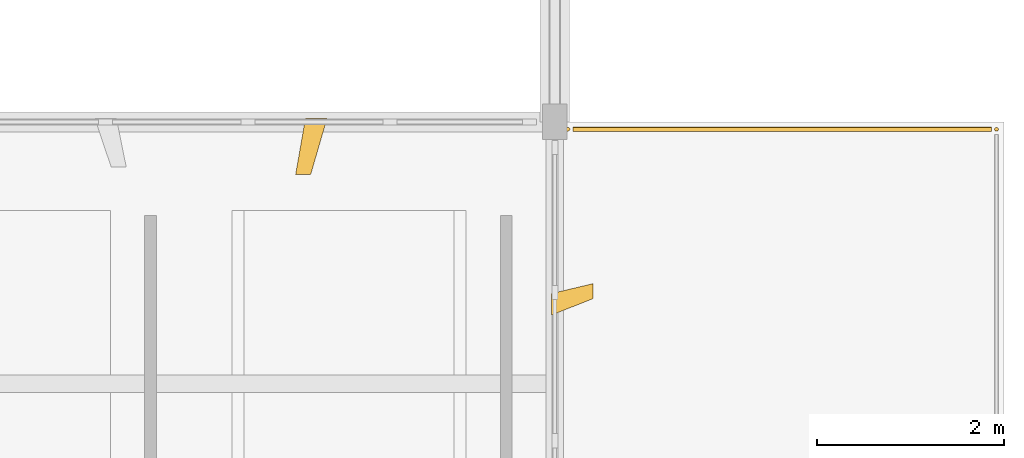
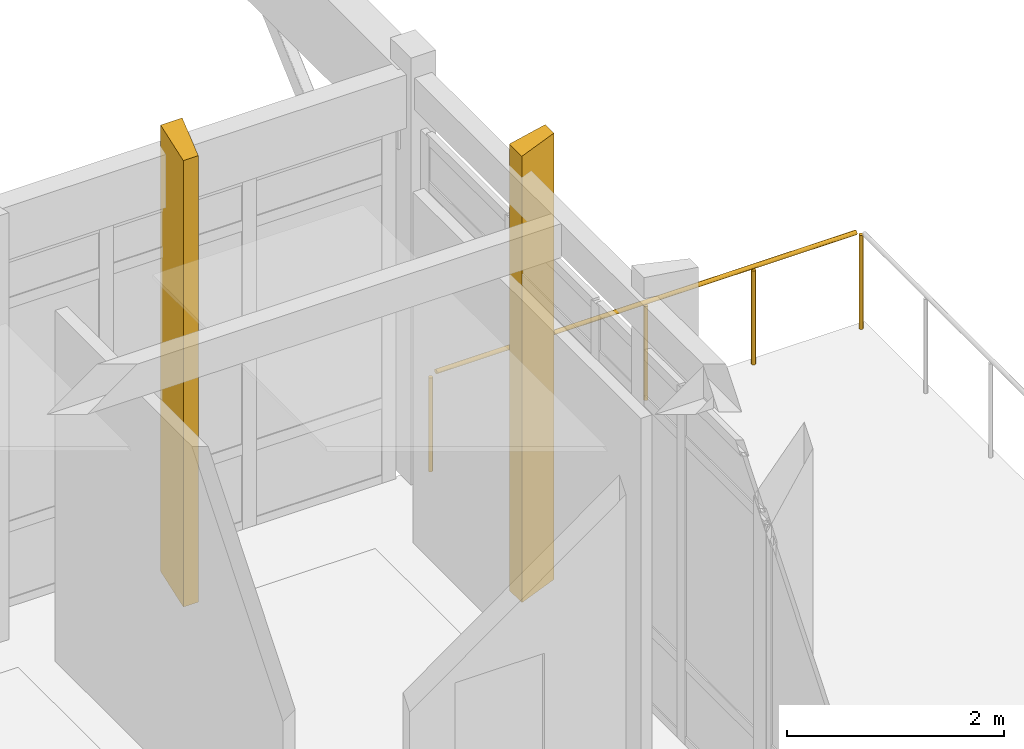
# One storey, part 19 of 19: 2 coverings, 1 railing.
"""IFC4 building model written with IfcOpenShell, lengths in metres."""

import ifcopenshell
import ifcopenshell.guid

model = None  # the IFC model being written
_history = None  # IfcOwnerHistory: only IFC2X3 demands one
_inside = {}  # id of a spatial element -> (the spatial element, [elements in it])
_under = {}  # id of a project, library or spatial element -> (it, [spatial elements below it])
_declared = {}  # id of a project -> (the project, [libraries it declares])
_typed = {}  # id of a type object -> (the type object, [elements of that type])
_made_of = {}  # id of a material, layer set ... -> (it, [elements and type objects made of it])


def new_model(schema):
    """Start an empty IFC model of exactly this schema.

    Asked for "IFC4X3", IfcOpenShell would pick the latest addendum, in which some entities
    have other attributes; the version numbers below select the first issue.
    IFC2X3 requires an IfcOwnerHistory on every rooted entity: one is made here for all.
    """
    global model, _history
    if schema == "IFC4X3":
        model = ifcopenshell.file(schema_version=(4, 3, 0, 0))
    else:
        model = ifcopenshell.file(schema=schema)
    _inside.clear()
    _under.clear()
    _declared.clear()
    _typed.clear()
    _made_of.clear()
    _history = None
    if model.schema == "IFC2X3":
        org = make("IfcOrganization", Name="unknown")
        user = make(
            "IfcPersonAndOrganization",
            ThePerson=make("IfcPerson", FamilyName="unknown"),
            TheOrganization=org,
        )
        app = make(
            "IfcApplication",
            ApplicationDeveloper=org,
            Version="unknown",
            ApplicationFullName="unknown",
            ApplicationIdentifier="unknown",
        )
        _history = make(
            "IfcOwnerHistory",
            OwningUser=user,
            OwningApplication=app,
            ChangeAction="ADDED",
            CreationDate=0,
        )
    return model


def make(cls, **values):
    """One entity of the class cls with the attributes given. An attribute that is None is left unset."""
    return model.create_entity(
        cls, **{name: value for name, value in values.items() if value is not None}
    )


def rooted(cls, **values):
    """An entity with a GlobalId (a new one), such as an element, a storey or a relation."""
    return make(cls, GlobalId=ifcopenshell.guid.new(), OwnerHistory=_history, **values)


def si_unit(unit_type, name, prefix=None):
    """IfcSIUnit, for example si_unit("LENGTHUNIT", "METRE", prefix="MILLI")."""
    return make("IfcSIUnit", UnitType=unit_type, Prefix=prefix, Name=name)


def assignment(units):
    """IfcUnitAssignment: the units of a project."""
    return None if units is None else make("IfcUnitAssignment", Units=units)


def point(xyz):
    """IfcCartesianPoint."""
    return None if xyz is None else make("IfcCartesianPoint", Coordinates=xyz)


def direction(xyz):
    """IfcDirection."""
    return None if xyz is None else make("IfcDirection", DirectionRatios=xyz)


def frame(location, z_axis=None, x_axis=None):
    """IfcAxis2Placement3D, a coordinate frame: its origin and axes. An axis left out is left unset."""
    return make(
        "IfcAxis2Placement3D",
        Location=point(location),
        Axis=direction(z_axis),
        RefDirection=direction(x_axis),
    )


def frame_2d(location, x_axis=None):
    """IfcAxis2Placement2D, a coordinate frame in the plane: its origin and x axis."""
    return make(
        "IfcAxis2Placement2D", Location=point(location), RefDirection=direction(x_axis)
    )


def origin():
    """The frame at (0, 0, 0) with its axes left unset."""
    return frame((0.0, 0.0, 0.0))


def origin_2d():
    """The frame at (0, 0) in the plane with its x axis left unset."""
    return frame_2d((0.0, 0.0))


def place(relative_to, where):
    """IfcLocalPlacement: puts the frame where relative to a parent placement (None: the world)."""
    return make(
        "IfcLocalPlacement", PlacementRelTo=relative_to, RelativePlacement=where
    )


def context(
    kind, dimensions, precision=None, world=None, true_north=None, identifier=None
):
    """IfcGeometricRepresentationContext, for example the 3D "Model" context."""
    return make(
        "IfcGeometricRepresentationContext",
        ContextIdentifier=identifier,
        ContextType=kind,
        CoordinateSpaceDimension=dimensions,
        Precision=precision,
        WorldCoordinateSystem=world,
        TrueNorth=true_north,
    )


def subcontext(parent, identifier, kind, view, scale=None):
    """IfcGeometricRepresentationSubContext, for example "Body" below "Model"."""
    return make(
        "IfcGeometricRepresentationSubContext",
        ContextIdentifier=identifier,
        ContextType=kind,
        ParentContext=parent,
        TargetScale=scale,
        TargetView=view,
    )


def project(units=None, contexts=None):
    """IfcProject with its units and contexts."""
    return rooted(
        "IfcProject",
        Name="project",
        RepresentationContexts=contexts,
        UnitsInContext=assignment(units),
    )


def spatial(cls, under=None, at=None, **own):
    """A site, building, storey or space (cls), placed at a placement, below another one or the project."""
    s = rooted(cls, ObjectPlacement=at, **own)
    if under is not None:
        _under.setdefault(under.id(), (under, []))[1].append(s)
    return s


def polyline(points):
    """IfcPolyline through the points."""
    return make("IfcPolyline", Points=[point(p) for p in points])


def profile(cls, at=None, kind="AREA", **sizes):
    """A parametric profile (cls). Its sizes go by their IFC names, for example OverallWidth=200.0."""
    return make(cls, ProfileType=kind, Position=at, **sizes)


def circle(**sizes):
    """IfcCircleProfileDef."""
    return profile("IfcCircleProfileDef", **sizes)


def outline(outer, holes=None, kind="AREA"):
    """IfcArbitraryClosedProfileDef: a profile drawn as a closed curve; with holes, ...WithVoids."""
    if holes is None:
        return make("IfcArbitraryClosedProfileDef", ProfileType=kind, OuterCurve=outer)
    return make(
        "IfcArbitraryProfileDefWithVoids",
        ProfileType=kind,
        OuterCurve=outer,
        InnerCurves=holes,
    )


def extrude(swept, where, along, depth):
    """IfcExtrudedAreaSolid: the profile swept, set in the frame where, extruded along a direction by depth."""
    return make(
        "IfcExtrudedAreaSolid",
        SweptArea=swept,
        Position=where,
        ExtrudedDirection=direction(along),
        Depth=depth,
    )


def shape(context_of_items, identifier, shape_type, items):
    """IfcShapeRepresentation: the items that make up one representation, for example the "Body"."""
    return make(
        "IfcShapeRepresentation",
        ContextOfItems=context_of_items,
        RepresentationIdentifier=identifier,
        RepresentationType=shape_type,
        Items=items,
    )


def material(Name=None, Category=None):
    """IfcMaterial."""
    return make("IfcMaterial", Name=Name, Category=Category)


def layer(
    of_material, thickness, ventilated=None, Name=None, Category=None, Priority=None
):
    """IfcMaterialLayer: one layer of a wall or slab, of a material (None: an air gap)."""
    return make(
        "IfcMaterialLayer",
        Material=of_material,
        LayerThickness=thickness,
        IsVentilated=ventilated,
        Name=Name,
        Category=Category,
        Priority=Priority,
    )


def layer_set(layers, Name=None):
    """IfcMaterialLayerSet."""
    return make("IfcMaterialLayerSet", MaterialLayers=layers, LayerSetName=Name)


def made_of(thing, what):
    """Note that an element or type object is made of a material, layer set ...; save() writes the relation."""
    if what is not None:
        _made_of.setdefault(what.id(), (what, []))[1].append(thing)
    return thing


def type_object(cls, material=None, **own):
    """A type object (cls), such as IfcWallType, which elements share."""
    return made_of(rooted(cls, **own), material)


def element(
    cls,
    number,
    at=None,
    inside=None,
    cuts=None,
    type_object=None,
    material=None,
    context=None,
    identifier="Body",
    shape_type=None,
    held_by="IfcProductDefinitionShape",
    body=None,
    shapes=None,
    **own,
):
    """One element of the class cls, such as IfcWall. Its Tag is "e" and its number.

    at: its placement. inside: the storey or other place that contains it. cuts: it is an
    opening in that element (IfcRelVoidsElement). A single representation is given by context,
    identifier, shape_type and body (its items); several are given by shapes. held_by: the class
    of the entity that holds the representations. save() writes the other relations.
    """
    e = rooted(cls, Tag="e%d" % number, ObjectPlacement=at, **own)
    if body is not None:
        shapes = [shape(context, identifier, shape_type, body)]
    if shapes is not None:
        e.Representation = make(held_by, Representations=shapes)
    if inside is not None:
        _inside.setdefault(inside.id(), (inside, []))[1].append(e)
    if cuts is not None:
        rooted(
            "IfcRelVoidsElement", RelatingBuildingElement=cuts, RelatedOpeningElement=e
        )
    if type_object is not None:
        _typed.setdefault(type_object.id(), (type_object, []))[1].append(e)
    return made_of(e, material)


def aggregate(whole, parts):
    """IfcRelAggregates: a whole, such as a stair, and the parts it consists of."""
    return rooted("IfcRelAggregates", RelatingObject=whole, RelatedObjects=parts)


def save(model, path):
    """Write the relations noted so far, then the file.

    IfcRelAggregates (storeys below a building ...), IfcRelContainedInSpatialStructure (elements
    in a storey), IfcRelDefinesByType, IfcRelAssociatesMaterial and IfcRelDeclares: one each for
    every whole, place, type object, material and project.
    """
    for whole, parts in _under.values():
        aggregate(whole, parts)
    for where, things in _inside.values():
        rooted(
            "IfcRelContainedInSpatialStructure",
            RelatedElements=things,
            RelatingStructure=where,
        )
    for kind, things in _typed.values():
        rooted("IfcRelDefinesByType", RelatedObjects=things, RelatingType=kind)
    for what, things in _made_of.values():
        rooted("IfcRelAssociatesMaterial", RelatedObjects=things, RelatingMaterial=what)
    for by, libraries in _declared.values():
        rooted("IfcRelDeclares", RelatingContext=by, RelatedDefinitions=libraries)
    model.write(path)


model = new_model("IFC4")

# Units and contexts
model_context = context("Model", 3, precision=1e-05, world=origin(), true_north=direction((0.0, 1.0)))
body_context = subcontext(model_context, "Body", "Model", "MODEL_VIEW")
ifc_project = project(units=[si_unit("LENGTHUNIT", "METRE"), si_unit("AREAUNIT", "SQUARE_METRE"), si_unit("VOLUMEUNIT", "CUBIC_METRE"), si_unit("PLANEANGLEUNIT", "RADIAN"), si_unit("MASSUNIT", "GRAM", prefix="KILO")], contexts=[model_context])

# Site, building, storey
site_placement = place(None, origin())
site = spatial("IfcSite", under=ifc_project, at=site_placement, CompositionType="ELEMENT")
building_placement = place(site_placement, origin())
building = spatial("IfcBuilding", under=site, at=building_placement, Name="Kolvemor Railside Polytechnic", CompositionType="ELEMENT")
storey_placement = place(building_placement, frame((0.0, 0.0, 27.0)))
storey = spatial("IfcBuildingStorey", under=building, at=storey_placement, Name="L06", CompositionType="ELEMENT", Elevation=27.0)

# Coverings
ifc_material_1 = material(Name="Sea-mist PVDF-anodised marine aluminium 5052-H32", Category="aluminium")
ifc_layer = layer(ifc_material_1, 0.159912109375, Name="COV-FIN-MIST")
ifc_layer_set = layer_set([ifc_layer], Name="Sea-mist PVDF-anodised marine aluminium 5052-H32")
covering_type = type_object("IfcCoveringType", Name="COV-FIN-MIST", PredefinedType="CLADDING", material=ifc_layer_set)
covering_1_placement = place(storey_placement, frame((0.0, 0.0, -0.219970703125)))
element("IfcCovering", 1, at=covering_1_placement, inside=storey, type_object=covering_type, Name="Pleated Solar Fin L06-0646", PredefinedType="CLADDING", context=body_context, shape_type="SweptSolid", body=[
    extrude(outline(polyline([(112.764892578125, 38.43505859375), (112.534912109375, 38.43505859375), (112.429931640625, 37.8349609375), (112.590087890625, 37.8349609375), (112.764892578125, 38.43505859375)])), origin(), (0.0, 0.0, 1.0), 5.02001953125),
])
covering_2_placement = place(storey_placement, frame((0.0, 0.0, -0.219970703125)))
element("IfcCovering", 2, at=covering_2_placement, inside=storey, type_object=covering_type, Name="Pleated Solar Fin L06-0666", PredefinedType="CLADDING", context=body_context, shape_type="SweptSolid", body=[
    extrude(outline(polyline([(115.1650390625, 36.3349609375), (115.1650390625, 36.56494140625), (115.60595703125, 36.669921875), (115.60595703125, 36.510009765625), (115.1650390625, 36.3349609375)])), origin(), (0.0, 0.0, 1.0), 5.02001953125),
])

# Railing
ifc_material_2 = material(Name="AISI 316 marine stainless-steel balustrade guard", Category="steel")
railing_type = type_object("IfcRailingType", Name="RLG-GUARD-1120", PredefinedType="BALUSTRADE", material=ifc_material_2)
railing_placement = place(storey_placement, frame((119.919921875, 38.320068359375, 0.0)))
element("IfcRailing", 3, at=railing_placement, inside=storey, type_object=railing_type, Name="Corner Study Terrace L06-E N Guard GR-053", PredefinedType="BALUSTRADE", context=body_context, shape_type="SweptSolid", body=[
    extrude(circle(Radius=0.02392578125, at=origin_2d()), frame((-0.054931640625, 0.0, 1.09619140625), z_axis=(-1.0, 0.0, 0.0), x_axis=(0.0, -1.0, 0.0)), (0.0, 0.0, 1.0), 4.4697265625),
    extrude(circle(Radius=0.02099609375, at=origin_2d()), origin(), (0.0, 0.0, 1.0), 1.05712890625),
    extrude(circle(Radius=0.02099609375, at=origin_2d()), frame((-1.14501953125, 0.0, 0.0)), (0.0, 0.0, 1.0), 1.05712890625),
    extrude(circle(Radius=0.02099609375, at=origin_2d()), frame((-2.2900390625, 0.0, 0.0)), (0.0, 0.0, 1.0), 1.05712890625),
    extrude(circle(Radius=0.02099609375, at=origin_2d()), frame((-3.434814453125, 0.0, 0.0)), (0.0, 0.0, 1.0), 1.05712890625),
    extrude(circle(Radius=0.02099609375, at=origin_2d()), frame((-4.579833984375, 0.0, 0.0)), (0.0, 0.0, 1.0), 1.05712890625),
])

save(model, "model.ifc")
